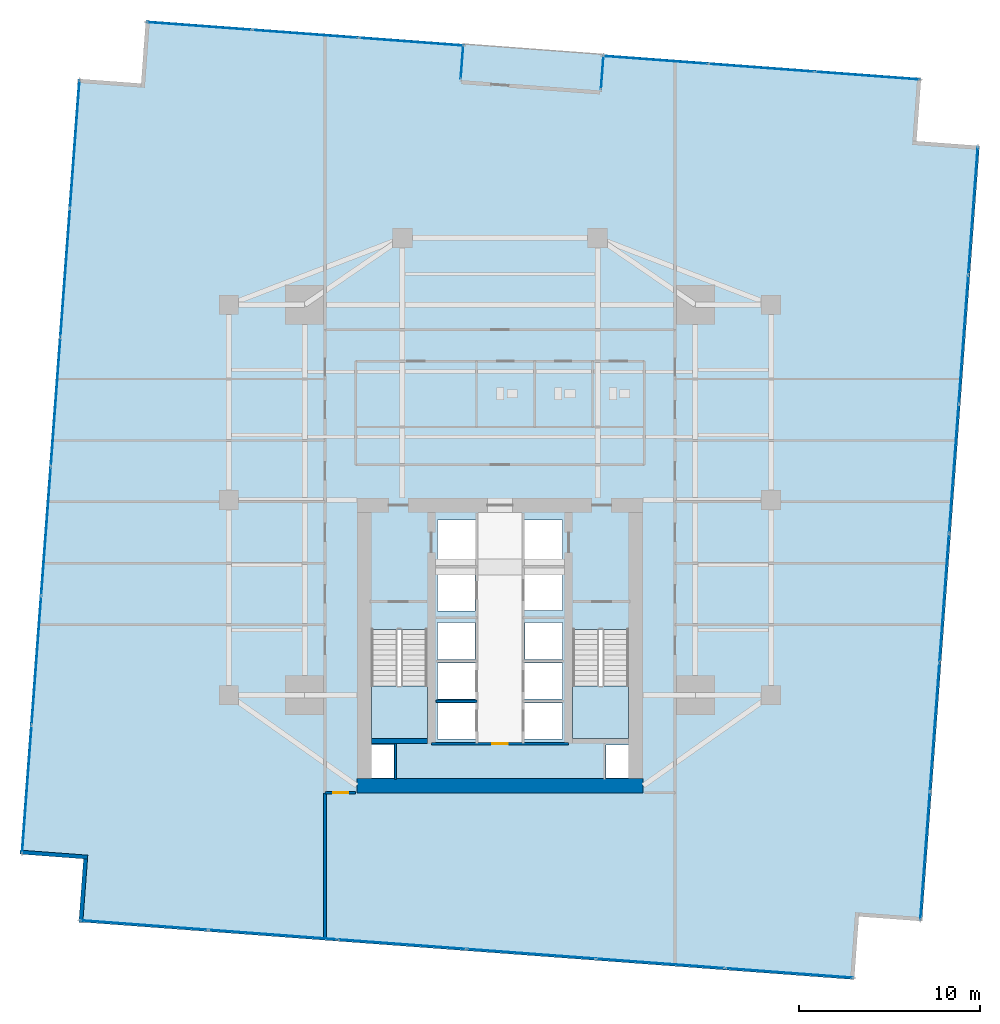
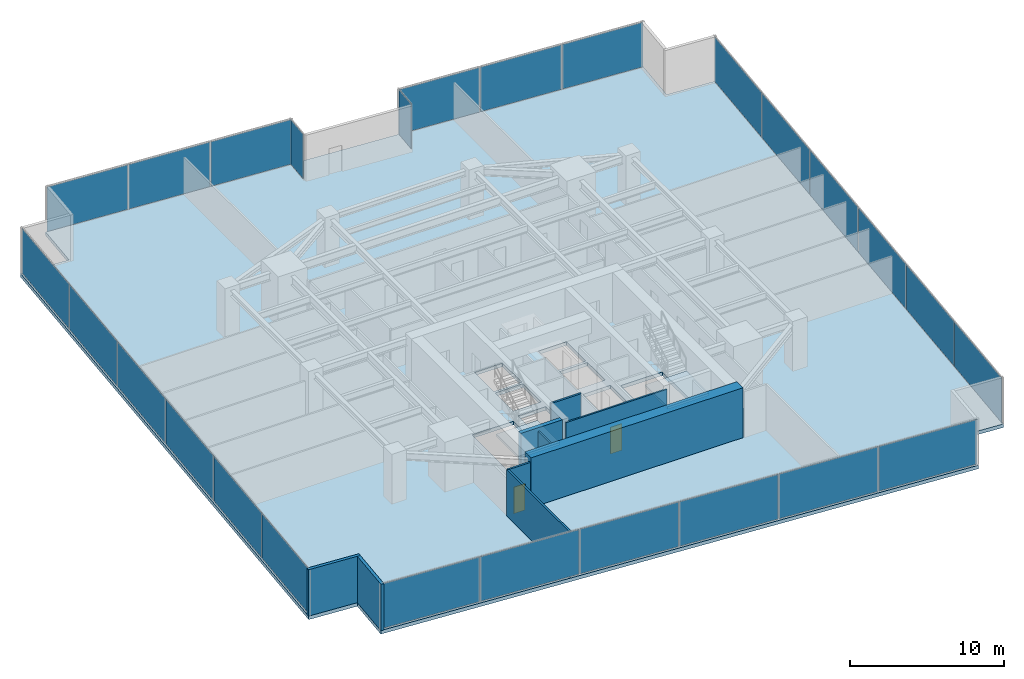
# One storey, part 25 of 30: 26 plates, 9 walls, 3 slabs, 2 doors, 2 openings, 9 elements without a shape of their own.
"""IFC4 building model written with IfcOpenShell, lengths in metres."""

from ifc_helpers import new_model, si_unit, direction, frame, frame_2d, origin, origin_2d, place, context, subcontext, project, spatial, polyline, rectangle, outline, extrude, source, transform, mapped, material, layer, layer_set, type_object, type_shapes, element, fill, aggregate, save


model = new_model("IFC4")

# Units and contexts
model_context = context("Model", 3, precision=1e-05, world=origin(), true_north=direction((0.0, 1.0)))
body_context = subcontext(model_context, "Body", "Model", "MODEL_VIEW")
ifc_project = project(units=[si_unit("LENGTHUNIT", "METRE"), si_unit("AREAUNIT", "SQUARE_METRE"), si_unit("VOLUMEUNIT", "CUBIC_METRE"), si_unit("PLANEANGLEUNIT", "RADIAN"), si_unit("MASSUNIT", "GRAM", prefix="KILO")], contexts=[model_context])

# Site, building, storey
site_placement = place(None, origin())
site = spatial("IfcSite", under=ifc_project, at=site_placement, CompositionType="ELEMENT")
building_placement = place(site_placement, origin())
building = spatial("IfcBuilding", under=site, at=building_placement, Name="Krantzveldt Concourse Tower", CompositionType="ELEMENT")
storey_placement = place(building_placement, frame((0.0, 0.0, 52.64990234375)))
storey = spatial("IfcBuildingStorey", under=building, at=storey_placement, Name="L12", CompositionType="ELEMENT", Elevation=52.64990234375)

# Stair, slab
ifc_material_1 = material(Name="Precast concrete C40/50", Category="concrete")
stair_type = type_object("IfcStairType", Name="STR-CORE-DOGLEG", PredefinedType="HALF_TURN_STAIR", material=ifc_material_1)
stair_1_placement = place(storey_placement, origin())
stair_1 = element("IfcStair", 1, at=stair_1_placement, inside=storey, type_object=stair_type, Name="L12 Protected Escape Stair ST-1", PredefinedType="HALF_TURN_STAIR")
ifc_layer_1 = layer(ifc_material_1, 0.199951171875, Name="Precast concrete C40/50", Category="concrete")
ifc_layer_set_1 = layer_set([ifc_layer_1], Name="Precast concrete C40/50 (SL-LANDING-200)")
slab_type_1 = type_object("IfcSlabType", Name="SL-LANDING-200", PredefinedType="LANDING", material=ifc_layer_set_1)
slab_1_placement = place(storey_placement, frame((0.0, 0.0, 1.775146484375)))
slab_1 = element("IfcSlab", 2, at=slab_1_placement, type_object=slab_type_1, Name="ST-1 landing 1", PredefinedType="LANDING", context=body_context, shape_type="SweptSolid", body=[
    extrude(outline(polyline([(28.8798828125, 16.4150390625), (28.8798828125, 13.52001953125), (31.97998046875, 13.52001953125), (31.97998046875, 16.4150390625), (28.8798828125, 16.4150390625)])), origin(), (0.0, 0.0, 1.0), 0.199951171875),
])
aggregate(stair_1, [slab_1])

stair_2_placement = place(storey_placement, origin())
stair_2 = element("IfcStair", 3, at=stair_2_placement, inside=storey, type_object=stair_type, Name="L12 Protected Escape Stair ST-2", PredefinedType="HALF_TURN_STAIR")
slab_2_placement = place(storey_placement, frame((0.0, 0.0, 1.775146484375)))
slab_2 = element("IfcSlab", 4, at=slab_2_placement, type_object=slab_type_1, Name="ST-2 landing 1", PredefinedType="LANDING", context=body_context, shape_type="SweptSolid", body=[
    extrude(outline(polyline([(40.02001953125, 16.4150390625), (40.02001953125, 13.52001953125), (43.1201171875, 13.52001953125), (43.1201171875, 16.4150390625), (40.02001953125, 16.4150390625)])), origin(), (0.0, 0.0, 1.0), 0.199951171875),
])
aggregate(stair_2, [slab_2])

# Slab
ifc_material_2 = material(Name="Concrete C40/50", Category="concrete")
ifc_layer_2 = layer(ifc_material_2, 0.280029296875, Name="Concrete C40/50", Category="concrete")
ifc_layer_set_2 = layer_set([ifc_layer_2], Name="Concrete C40/50 (SL-SL-TER280)")
slab_type_2 = type_object("IfcSlabType", Name="SL-SL-TER280", PredefinedType="FLOOR", material=ifc_layer_set_2)
slab_3_placement = place(storey_placement, frame((0.0, 0.0, -0.27978515625)))
element("IfcSlab", 5, at=slab_3_placement, inside=storey, type_object=slab_type_2, Name="SL-L12-MAIN", PredefinedType="FLOOR", context=body_context, shape_type="SweptSolid", body=[
    extrude(outline(polyline([(16.15234375, 49.734130859375), (12.662109375, 49.99365234375), (9.475341796875, 7.11181640625), (12.9658203125, 6.8525390625), (12.706298828125, 3.362060546875), (55.588134765625, 0.17529296875), (55.84765625, 3.665771484375), (59.337890625, 3.406494140625), (62.524658203125, 46.2880859375), (59.0341796875, 46.547607421875), (59.293701171875, 50.037841796875), (16.411865234375, 53.224609375), (16.15234375, 49.734130859375)]), holes=[polyline([(28.8798828125, 19.547607421875), (28.8798828125, 13.52001953125), (31.97998046875, 13.52001953125), (31.97998046875, 19.547607421875), (28.8798828125, 19.547607421875)]), polyline([(40.02001953125, 19.547607421875), (40.02001953125, 13.52001953125), (43.1201171875, 13.52001953125), (43.1201171875, 19.547607421875), (40.02001953125, 19.547607421875)]), polyline([(32.550048828125, 23.10009765625), (34.64990234375, 23.10009765625), (34.64990234375, 25.60009765625), (32.550048828125, 25.60009765625), (32.550048828125, 23.10009765625)]), polyline([(37.35009765625, 23.10009765625), (39.449951171875, 23.10009765625), (39.449951171875, 25.60009765625), (37.35009765625, 25.60009765625), (37.35009765625, 23.10009765625)]), polyline([(37.35009765625, 20.60009765625), (39.449951171875, 20.60009765625), (39.449951171875, 22.89990234375), (37.35009765625, 22.89990234375), (37.35009765625, 20.60009765625)]), polyline([(32.550048828125, 13.47998046875), (34.64990234375, 13.47998046875), (34.64990234375, 15.47998046875), (32.550048828125, 15.47998046875), (32.550048828125, 13.47998046875)]), polyline([(32.550048828125, 15.679931640625), (34.64990234375, 15.679931640625), (34.64990234375, 17.679931640625), (32.550048828125, 17.679931640625), (32.550048828125, 15.679931640625)]), polyline([(37.35009765625, 13.47998046875), (39.449951171875, 13.47998046875), (39.449951171875, 15.47998046875), (37.35009765625, 15.47998046875), (37.35009765625, 13.47998046875)]), polyline([(37.35009765625, 15.679931640625), (39.449951171875, 15.679931640625), (39.449951171875, 17.679931640625), (37.35009765625, 17.679931640625), (37.35009765625, 15.679931640625)]), polyline([(32.550048828125, 20.550048828125), (34.6201171875, 20.550048828125), (34.6201171875, 22.89990234375), (32.550048828125, 22.89990234375), (32.550048828125, 20.550048828125)]), polyline([(32.550048828125, 17.8798828125), (34.6201171875, 17.8798828125), (34.6201171875, 19.919921875), (32.550048828125, 19.919921875), (32.550048828125, 17.8798828125)]), polyline([(37.3798828125, 17.8798828125), (39.449951171875, 17.8798828125), (39.449951171875, 19.919921875), (37.3798828125, 19.919921875), (37.3798828125, 17.8798828125)]), polyline([(28.8798828125, 11.320068359375), (30.139892578125, 11.320068359375), (30.139892578125, 13.159912109375), (28.8798828125, 13.159912109375), (28.8798828125, 11.320068359375)]), polyline([(41.860107421875, 11.320068359375), (43.1201171875, 11.320068359375), (43.1201171875, 13.159912109375), (41.860107421875, 13.159912109375), (41.860107421875, 11.320068359375)])]), origin(), (0.0, 0.0, 1.0), 0.27978515625),
])

# Curtain wall, plates
ifc_material_3 = material(Name="Anodised aluminium 6063-T6", Category="aluminium")
curtain_wall_type_1 = type_object("IfcCurtainWallType", Name="CW2", PredefinedType="USERDEFINED", material=ifc_material_3)
curtain_wall_1_placement = place(storey_placement, origin())
curtain_wall_1 = element("IfcCurtainWall", 6, at=curtain_wall_1_placement, inside=storey, type_object=curtain_wall_type_1, Name="CW-L12-F01", ObjectType="UNITISED CURTAIN WALL", PredefinedType="USERDEFINED")
ifc_material_4 = material(Name="Bronze-tinted laminated low-E IGU glass", Category="glass")
ifc_layer_3 = layer(ifc_material_4, 0.031982421875, Name="Bronze-tinted laminated low-E IGU glass", Category="glass")
ifc_layer_set_3 = layer_set([ifc_layer_3], Name="Bronze-tinted laminated low-E IGU glass (CW-GLZ-32)")
plate_type = type_object("IfcPlateType", Name="CW-GLZ-32", PredefinedType="CURTAIN_PANEL", material=ifc_layer_set_3)
shared_shape_1 = source(origin(), body_context, "Body", "SweptSolid", [
    extrude(rectangle(XDim=7.061767578125, YDim=0.031982421875, at=origin_2d()), origin(), (0.0, 0.0, 1.0), 3.530029296875),
])
plate_1_placement = place(storey_placement, frame((12.48486328125, 46.39599609375, 0.0703125), z_axis=(0.0, 0.0, 1.0), x_axis=(-0.07410860051, -0.997250176902, 0.0)))
plate_1 = element("IfcPlate", 7, at=plate_1_placement, type_object=plate_type, Name="CW-Z12 panel 1.1", PredefinedType="CURTAIN_PANEL", context=body_context, shape_type="MappedRepresentation", body=[
    mapped(shared_shape_1, transform((0.0, 0.0, 0.0), x_axis=(1.0, 0.0, 0.0), y_axis=(0.0, 1.0, 0.0), z_axis=(0.0, 0.0, 1.0), scale=1.0)),
])
plate_2_placement = place(storey_placement, frame((9.83203125, 10.696044921875, 0.0703125), z_axis=(0.0, 0.0, 1.0), x_axis=(-0.07410860051, -0.997250176902, 0.0)))
plate_2 = element("IfcPlate", 8, at=plate_2_placement, type_object=plate_type, Name="CW-Z12 panel 6.1", PredefinedType="CURTAIN_PANEL", context=body_context, shape_type="MappedRepresentation", body=[
    mapped(shared_shape_1, transform((0.0, 0.0, 0.0), x_axis=(1.0, 0.0, 0.0), y_axis=(0.0, 1.0, 0.0), z_axis=(0.0, 0.0, 1.0), scale=1.0)),
])

curtain_wall_2_placement = place(storey_placement, origin())
curtain_wall_2 = element("IfcCurtainWall", 9, at=curtain_wall_2_placement, inside=storey, type_object=curtain_wall_type_1, Name="CW-L12-F04", ObjectType="UNITISED CURTAIN WALL", PredefinedType="USERDEFINED")
plate_3_placement = place(storey_placement, frame((16.303955078125, 3.18505859375, 0.0703125), z_axis=(0.0, 0.0, 1.0), x_axis=(0.997250176902, -0.07410860051, 0.0)))
plate_3 = element("IfcPlate", 10, at=plate_3_placement, type_object=plate_type, Name="CW-Z12 panel 1.1", PredefinedType="CURTAIN_PANEL", context=body_context, shape_type="MappedRepresentation", body=[
    mapped(shared_shape_1, transform((0.0, 0.0, 0.0), x_axis=(1.0, 0.0, 0.0), y_axis=(0.0, 1.0, 0.0), z_axis=(0.0, 0.0, 1.0), scale=1.0)),
])
plate_4_placement = place(storey_placement, frame((52.00390625, 0.531982421875, 0.0703125), z_axis=(0.0, 0.0, 1.0), x_axis=(0.997250176902, -0.07410860051, 0.0)))
plate_4 = element("IfcPlate", 11, at=plate_4_placement, type_object=plate_type, Name="CW-Z12 panel 6.1", PredefinedType="CURTAIN_PANEL", context=body_context, shape_type="MappedRepresentation", body=[
    mapped(shared_shape_1, transform((0.0, 0.0, 0.0), x_axis=(1.0, 0.0, 0.0), y_axis=(0.0, 1.0, 0.0), z_axis=(0.0, 0.0, 1.0), scale=1.0)),
])

curtain_wall_3_placement = place(storey_placement, origin())
curtain_wall_3 = element("IfcCurtainWall", 12, at=curtain_wall_3_placement, inside=storey, type_object=curtain_wall_type_1, Name="CW-L12-F07", ObjectType="UNITISED CURTAIN WALL", PredefinedType="USERDEFINED")
plate_5_placement = place(storey_placement, frame((59.51513671875, 7.00390625, 0.0703125), z_axis=(0.0, 0.0, 1.0), x_axis=(0.07410860051, 0.997250176902, 0.0)))
plate_5 = element("IfcPlate", 13, at=plate_5_placement, type_object=plate_type, Name="CW-Z12 panel 1.1", PredefinedType="CURTAIN_PANEL", context=body_context, shape_type="MappedRepresentation", body=[
    mapped(shared_shape_1, transform((0.0, 0.0, 0.0), x_axis=(1.0, 0.0, 0.0), y_axis=(0.0, 1.0, 0.0), z_axis=(0.0, 0.0, 1.0), scale=1.0)),
])
plate_6_placement = place(storey_placement, frame((62.16796875, 42.703857421875, 0.0703125), z_axis=(0.0, 0.0, 1.0), x_axis=(0.07410860051, 0.997250176902, 0.0)))
plate_6 = element("IfcPlate", 14, at=plate_6_placement, type_object=plate_type, Name="CW-Z12 panel 6.1", PredefinedType="CURTAIN_PANEL", context=body_context, shape_type="MappedRepresentation", body=[
    mapped(shared_shape_1, transform((0.0, 0.0, 0.0), x_axis=(1.0, 0.0, 0.0), y_axis=(0.0, 1.0, 0.0), z_axis=(0.0, 0.0, 1.0), scale=1.0)),
])

# Plate
shared_shape_2 = source(origin(), body_context, "Body", "SweptSolid", [
    extrude(rectangle(XDim=7.0966796875, YDim=0.031982421875, at=origin_2d()), origin(), (0.0, 0.0, 1.0), 3.530029296875),
])
plate_7_placement = place(storey_placement, frame((11.955078125, 39.2666015625, 0.0703125), z_axis=(0.0, 0.0, 1.0), x_axis=(-0.07410860051, -0.997250176902, 0.0)))
plate_7 = element("IfcPlate", 15, at=plate_7_placement, type_object=plate_type, Name="CW-Z12 panel 2.1", PredefinedType="CURTAIN_PANEL", context=body_context, shape_type="MappedRepresentation", body=[
    mapped(shared_shape_2, transform((0.0, 0.0, 0.0), x_axis=(1.0, 0.0, 0.0), y_axis=(0.0, 1.0, 0.0), z_axis=(0.0, 0.0, 1.0), scale=1.0)),
])

plate_8_placement = place(storey_placement, frame((11.424072265625, 32.11962890625, 0.0703125), z_axis=(0.0, 0.0, 1.0), x_axis=(-0.07410860051, -0.997250176902, 0.0)))
plate_8 = element("IfcPlate", 16, at=plate_8_placement, type_object=plate_type, Name="CW-Z12 panel 3.1", PredefinedType="CURTAIN_PANEL", context=body_context, shape_type="MappedRepresentation", body=[
    mapped(shared_shape_2, transform((0.0, 0.0, 0.0), x_axis=(1.0, 0.0, 0.0), y_axis=(0.0, 1.0, 0.0), z_axis=(0.0, 0.0, 1.0), scale=1.0)),
])

plate_9_placement = place(storey_placement, frame((10.892822265625, 24.97265625, 0.0703125), z_axis=(0.0, 0.0, 1.0), x_axis=(-0.07410860051, -0.997250176902, 0.0)))
plate_9 = element("IfcPlate", 17, at=plate_9_placement, type_object=plate_type, Name="CW-Z12 panel 4.1", PredefinedType="CURTAIN_PANEL", context=body_context, shape_type="MappedRepresentation", body=[
    mapped(shared_shape_2, transform((0.0, 0.0, 0.0), x_axis=(1.0, 0.0, 0.0), y_axis=(0.0, 1.0, 0.0), z_axis=(0.0, 0.0, 1.0), scale=1.0)),
])

plate_10_placement = place(storey_placement, frame((10.36181640625, 17.82568359375, 0.0703125), z_axis=(0.0, 0.0, 1.0), x_axis=(-0.07410860051, -0.997250176902, 0.0)))
plate_10 = element("IfcPlate", 18, at=plate_10_placement, type_object=plate_type, Name="CW-Z12 panel 5.1", PredefinedType="CURTAIN_PANEL", context=body_context, shape_type="MappedRepresentation", body=[
    mapped(shared_shape_2, transform((0.0, 0.0, 0.0), x_axis=(1.0, 0.0, 0.0), y_axis=(0.0, 1.0, 0.0), z_axis=(0.0, 0.0, 1.0), scale=1.0)),
])

aggregate(curtain_wall_1, [plate_1, plate_7, plate_8, plate_9, plate_10, plate_2])

plate_11_placement = place(storey_placement, frame((23.43359375, 2.6552734375, 0.0703125), z_axis=(0.0, 0.0, 1.0), x_axis=(0.997250176902, -0.07410860051, 0.0)))
plate_11 = element("IfcPlate", 19, at=plate_11_placement, type_object=plate_type, Name="CW-Z12 panel 2.1", PredefinedType="CURTAIN_PANEL", context=body_context, shape_type="MappedRepresentation", body=[
    mapped(shared_shape_2, transform((0.0, 0.0, 0.0), x_axis=(1.0, 0.0, 0.0), y_axis=(0.0, 1.0, 0.0), z_axis=(0.0, 0.0, 1.0), scale=1.0)),
])

plate_12_placement = place(storey_placement, frame((30.58056640625, 2.1240234375, 0.0703125), z_axis=(0.0, 0.0, 1.0), x_axis=(0.997250176902, -0.07410860051, 0.0)))
plate_12 = element("IfcPlate", 20, at=plate_12_placement, type_object=plate_type, Name="CW-Z12 panel 3.1", PredefinedType="CURTAIN_PANEL", context=body_context, shape_type="MappedRepresentation", body=[
    mapped(shared_shape_2, transform((0.0, 0.0, 0.0), x_axis=(1.0, 0.0, 0.0), y_axis=(0.0, 1.0, 0.0), z_axis=(0.0, 0.0, 1.0), scale=1.0)),
])

plate_13_placement = place(storey_placement, frame((37.7275390625, 1.593017578125, 0.0703125), z_axis=(0.0, 0.0, 1.0), x_axis=(0.997250176902, -0.07410860051, 0.0)))
plate_13 = element("IfcPlate", 21, at=plate_13_placement, type_object=plate_type, Name="CW-Z12 panel 4.1", PredefinedType="CURTAIN_PANEL", context=body_context, shape_type="MappedRepresentation", body=[
    mapped(shared_shape_2, transform((0.0, 0.0, 0.0), x_axis=(1.0, 0.0, 0.0), y_axis=(0.0, 1.0, 0.0), z_axis=(0.0, 0.0, 1.0), scale=1.0)),
])

plate_14_placement = place(storey_placement, frame((44.87451171875, 1.061767578125, 0.0703125), z_axis=(0.0, 0.0, 1.0), x_axis=(0.997250176902, -0.07410860051, 0.0)))
plate_14 = element("IfcPlate", 22, at=plate_14_placement, type_object=plate_type, Name="CW-Z12 panel 5.1", PredefinedType="CURTAIN_PANEL", context=body_context, shape_type="MappedRepresentation", body=[
    mapped(shared_shape_2, transform((0.0, 0.0, 0.0), x_axis=(1.0, 0.0, 0.0), y_axis=(0.0, 1.0, 0.0), z_axis=(0.0, 0.0, 1.0), scale=1.0)),
])

aggregate(curtain_wall_2, [plate_3, plate_11, plate_12, plate_13, plate_14, plate_4])

plate_15_placement = place(storey_placement, frame((60.044921875, 14.133544921875, 0.0703125), z_axis=(0.0, 0.0, 1.0), x_axis=(0.07410860051, 0.997250176902, 0.0)))
plate_15 = element("IfcPlate", 23, at=plate_15_placement, type_object=plate_type, Name="CW-Z12 panel 2.1", PredefinedType="CURTAIN_PANEL", context=body_context, shape_type="MappedRepresentation", body=[
    mapped(shared_shape_2, transform((0.0, 0.0, 0.0), x_axis=(1.0, 0.0, 0.0), y_axis=(0.0, 1.0, 0.0), z_axis=(0.0, 0.0, 1.0), scale=1.0)),
])

plate_16_placement = place(storey_placement, frame((60.575927734375, 21.280517578125, 0.0703125), z_axis=(0.0, 0.0, 1.0), x_axis=(0.07410860051, 0.997250176902, 0.0)))
plate_16 = element("IfcPlate", 24, at=plate_16_placement, type_object=plate_type, Name="CW-Z12 panel 3.1", PredefinedType="CURTAIN_PANEL", context=body_context, shape_type="MappedRepresentation", body=[
    mapped(shared_shape_2, transform((0.0, 0.0, 0.0), x_axis=(1.0, 0.0, 0.0), y_axis=(0.0, 1.0, 0.0), z_axis=(0.0, 0.0, 1.0), scale=1.0)),
])

plate_17_placement = place(storey_placement, frame((61.107177734375, 28.427490234375, 0.0703125), z_axis=(0.0, 0.0, 1.0), x_axis=(0.07410860051, 0.997250176902, 0.0)))
plate_17 = element("IfcPlate", 25, at=plate_17_placement, type_object=plate_type, Name="CW-Z12 panel 4.1", PredefinedType="CURTAIN_PANEL", context=body_context, shape_type="MappedRepresentation", body=[
    mapped(shared_shape_2, transform((0.0, 0.0, 0.0), x_axis=(1.0, 0.0, 0.0), y_axis=(0.0, 1.0, 0.0), z_axis=(0.0, 0.0, 1.0), scale=1.0)),
])

plate_18_placement = place(storey_placement, frame((61.63818359375, 35.574462890625, 0.0703125), z_axis=(0.0, 0.0, 1.0), x_axis=(0.07410860051, 0.997250176902, 0.0)))
plate_18 = element("IfcPlate", 26, at=plate_18_placement, type_object=plate_type, Name="CW-Z12 panel 5.1", PredefinedType="CURTAIN_PANEL", context=body_context, shape_type="MappedRepresentation", body=[
    mapped(shared_shape_2, transform((0.0, 0.0, 0.0), x_axis=(1.0, 0.0, 0.0), y_axis=(0.0, 1.0, 0.0), z_axis=(0.0, 0.0, 1.0), scale=1.0)),
])

aggregate(curtain_wall_3, [plate_5, plate_15, plate_16, plate_17, plate_18, plate_6])

# Curtain wall, plates
curtain_wall_4_placement = place(storey_placement, origin())
curtain_wall_4 = element("IfcCurtainWall", 27, at=curtain_wall_4_placement, inside=storey, type_object=curtain_wall_type_1, Name="CW-L12-F10", ObjectType="UNITISED CURTAIN WALL", PredefinedType="USERDEFINED")
shared_shape_3 = source(origin(), body_context, "Body", "SweptSolid", [
    extrude(rectangle(XDim=5.794921875, YDim=0.031982421875, at=origin_2d()), origin(), (0.0, 0.0, 1.0), 3.530029296875),
])
plate_19_placement = place(storey_placement, frame((56.32763671875, 50.16796875, 0.0703125), z_axis=(0.0, 0.0, 1.0), x_axis=(-0.997250186789, 0.074108467464, 0.0)))
plate_19 = element("IfcPlate", 28, at=plate_19_placement, type_object=plate_type, Name="CW-Z12 panel 1.1", PredefinedType="CURTAIN_PANEL", context=body_context, shape_type="MappedRepresentation", body=[
    mapped(shared_shape_3, transform((0.0, 0.0, 0.0), x_axis=(1.0, 0.0, 0.0), y_axis=(0.0, 1.0, 0.0), z_axis=(0.0, 0.0, 1.0), scale=1.0)),
])
plate_20_placement = place(storey_placement, frame((44.594970703125, 51.0400390625, 0.0703125), z_axis=(0.0, 0.0, 1.0), x_axis=(-0.997250186789, 0.074108467464, 0.0)))
plate_20 = element("IfcPlate", 29, at=plate_20_placement, type_object=plate_type, Name="CW-Z12 panel 3.1", PredefinedType="CURTAIN_PANEL", context=body_context, shape_type="MappedRepresentation", body=[
    mapped(shared_shape_3, transform((0.0, 0.0, 0.0), x_axis=(1.0, 0.0, 0.0), y_axis=(0.0, 1.0, 0.0), z_axis=(0.0, 0.0, 1.0), scale=1.0)),
])

curtain_wall_5_placement = place(storey_placement, origin())
curtain_wall_5 = element("IfcCurtainWall", 30, at=curtain_wall_5_placement, inside=storey, type_object=curtain_wall_type_1, Name="CW-L12-F14", ObjectType="UNITISED CURTAIN WALL", PredefinedType="USERDEFINED")
plate_21_placement = place(storey_placement, frame((31.09716796875, 52.04296875, 0.0703125), z_axis=(0.0, 0.0, 1.0), x_axis=(-0.997250186789, 0.074108467464, 0.0)))
plate_21 = element("IfcPlate", 31, at=plate_21_placement, type_object=plate_type, Name="CW-Z12 panel 1.1", PredefinedType="CURTAIN_PANEL", context=body_context, shape_type="MappedRepresentation", body=[
    mapped(shared_shape_3, transform((0.0, 0.0, 0.0), x_axis=(1.0, 0.0, 0.0), y_axis=(0.0, 1.0, 0.0), z_axis=(0.0, 0.0, 1.0), scale=1.0)),
])
plate_22_placement = place(storey_placement, frame((19.364501953125, 52.9150390625, 0.0703125), z_axis=(0.0, 0.0, 1.0), x_axis=(-0.997250186789, 0.074108467464, 0.0)))
plate_22 = element("IfcPlate", 32, at=plate_22_placement, type_object=plate_type, Name="CW-Z12 panel 3.1", PredefinedType="CURTAIN_PANEL", context=body_context, shape_type="MappedRepresentation", body=[
    mapped(shared_shape_3, transform((0.0, 0.0, 0.0), x_axis=(1.0, 0.0, 0.0), y_axis=(0.0, 1.0, 0.0), z_axis=(0.0, 0.0, 1.0), scale=1.0)),
])

# Plate
shared_shape_4 = source(origin(), body_context, "Body", "SweptSolid", [
    extrude(rectangle(XDim=5.830078125, YDim=0.031982421875, at=origin_2d()), origin(), (0.0, 0.0, 1.0), 3.530029296875),
])
plate_23_placement = place(storey_placement, frame((50.461181640625, 50.60400390625, 0.0703125), z_axis=(0.0, 0.0, 1.0), x_axis=(-0.997250186789, 0.074108467464, 0.0)))
plate_23 = element("IfcPlate", 33, at=plate_23_placement, type_object=plate_type, Name="CW-Z12 panel 2.1", PredefinedType="CURTAIN_PANEL", context=body_context, shape_type="MappedRepresentation", body=[
    mapped(shared_shape_4, transform((0.0, 0.0, 0.0), x_axis=(1.0, 0.0, 0.0), y_axis=(0.0, 1.0, 0.0), z_axis=(0.0, 0.0, 1.0), scale=1.0)),
])

aggregate(curtain_wall_4, [plate_19, plate_23, plate_20])

plate_24_placement = place(storey_placement, frame((25.230712890625, 52.47900390625, 0.0703125), z_axis=(0.0, 0.0, 1.0), x_axis=(-0.997250186789, 0.074108467464, 0.0)))
plate_24 = element("IfcPlate", 34, at=plate_24_placement, type_object=plate_type, Name="CW-Z12 panel 2.1", PredefinedType="CURTAIN_PANEL", context=body_context, shape_type="MappedRepresentation", body=[
    mapped(shared_shape_4, transform((0.0, 0.0, 0.0), x_axis=(1.0, 0.0, 0.0), y_axis=(0.0, 1.0, 0.0), z_axis=(0.0, 0.0, 1.0), scale=1.0)),
])

aggregate(curtain_wall_5, [plate_21, plate_24, plate_22])

# Curtain wall, plate
curtain_wall_type_2 = type_object("IfcCurtainWallType", Name="CW6", PredefinedType="USERDEFINED", material=ifc_material_3)
curtain_wall_6_placement = place(storey_placement, origin())
curtain_wall_6 = element("IfcCurtainWall", 35, at=curtain_wall_6_placement, inside=storey, type_object=curtain_wall_type_2, Name="CW-L12-TR11", ObjectType="UNITISED CURTAIN WALL", PredefinedType="USERDEFINED")
shared_shape_5 = source(origin(), body_context, "Body", "SweptSolid", [
    extrude(rectangle(XDim=1.860107421875, YDim=0.031982421875, at=origin_2d()), origin(), (0.0, 0.0, 1.0), 3.530029296875),
])
type_shapes(plate_type, [shared_shape_1, shared_shape_2, shared_shape_3, shared_shape_4, shared_shape_5])
plate_25_placement = place(storey_placement, frame((41.657958984375, 50.345703125, 0.0703125), z_axis=(0.0, 0.0, 1.0), x_axis=(-0.074105032841, -0.997250442019, 0.0)))
plate_25 = element("IfcPlate", 36, at=plate_25_placement, type_object=plate_type, Name="CW-TERR panel 1.1", PredefinedType="CURTAIN_PANEL", context=body_context, shape_type="MappedRepresentation", body=[
    mapped(shared_shape_5, transform((0.0, 0.0, 0.0), x_axis=(1.0, 0.0, 0.0), y_axis=(0.0, 1.0, 0.0), z_axis=(0.0, 0.0, 1.0), scale=1.0)),
])
aggregate(curtain_wall_6, [plate_25])

curtain_wall_7_placement = place(storey_placement, origin())
curtain_wall_7 = element("IfcCurtainWall", 37, at=curtain_wall_7_placement, inside=storey, type_object=curtain_wall_type_2, Name="CW-L12-TR13", ObjectType="UNITISED CURTAIN WALL", PredefinedType="USERDEFINED")
plate_26_placement = place(storey_placement, frame((33.8994140625, 50.92236328125, 0.0703125), z_axis=(0.0, 0.0, 1.0), x_axis=(0.074110005396, 0.997250072499, 0.0)))
plate_26 = element("IfcPlate", 38, at=plate_26_placement, type_object=plate_type, Name="CW-TERR panel 1.1", PredefinedType="CURTAIN_PANEL", context=body_context, shape_type="MappedRepresentation", body=[
    mapped(shared_shape_5, transform((0.0, 0.0, 0.0), x_axis=(1.0, 0.0, 0.0), y_axis=(0.0, 1.0, 0.0), z_axis=(0.0, 0.0, 1.0), scale=1.0)),
])
aggregate(curtain_wall_7, [plate_26])

# Walls
ifc_layer_4 = layer(ifc_material_3, 0.219970703125, Name="Anodised aluminium 6063-T6", Category="aluminium")
ifc_layer_set_4 = layer_set([ifc_layer_4], Name="Anodised aluminium 6063-T6 (WL-EXT-NOTCH220)")
wall_type_1 = type_object("IfcWallType", Name="WL-EXT-NOTCH220", PredefinedType="ELEMENTEDWALL", material=ifc_layer_set_4)
wall_1_placement = place(storey_placement, frame((9.458740234375, 7.223388671875, 0.0), z_axis=(0.0, 0.0, 1.0), x_axis=(0.997249045342, -0.074123825884, 0.0)))
element("IfcWall", 39, at=wall_1_placement, inside=storey, type_object=wall_type_1, Name="EW-L12-NCH02", PredefinedType="ELEMENTEDWALL", context=body_context, shape_type="SweptSolid", body=[
    extrude(rectangle(XDim=3.744873046875, YDim=0.219970703125, at=frame_2d((1.87255859375, 0.0))), origin(), (0.0, 0.0, 1.0), 3.670166015625),
])
wall_2_placement = place(storey_placement, frame((13.075439453125, 6.84423828125, 0.0), z_axis=(0.0, 0.0, 1.0), x_axis=(-0.074111505645, -0.997249961008, 0.0)))
element("IfcWall", 40, at=wall_2_placement, inside=storey, type_object=wall_type_1, Name="EW-L12-NCH03", PredefinedType="ELEMENTEDWALL", context=body_context, shape_type="SweptSolid", body=[
    extrude(rectangle(XDim=3.52490234375, YDim=0.219970703125, at=frame_2d((1.762451171875, 0.0))), origin(), (0.0, 0.0, 1.0), 3.670166015625),
])

# Wall, opening, door
ifc_material_5 = material(Name="Fire-rated gypsum plasterboard on steel stud", Category="steel")
ifc_layer_5 = layer(ifc_material_5, 0.1201171875, Name="Fire-rated gypsum plasterboard on steel stud", Category="steel")
ifc_layer_set_5 = layer_set([ifc_layer_5], Name="Fire-rated gypsum plasterboard on steel stud (WL-PART-120)")
wall_type_2 = type_object("IfcWallType", Name="WL-PART-120", PredefinedType="PARTITIONING", material=ifc_layer_set_5)
wall_3_placement = place(storey_placement, frame((32.2099609375, 13.219970703125, 0.0), z_axis=(0.0, 0.0, 1.0), x_axis=(1.0, 0.0, 0.0)))
wall_3 = element("IfcWall", 41, at=wall_3_placement, inside=storey, type_object=wall_type_2, Name="WP-L12-CS2H", PredefinedType="PARTITIONING", context=body_context, shape_type="SweptSolid", body=[
    extrude(rectangle(XDim=7.580078125, YDim=0.1201171875, at=frame_2d((3.7900390625, 0.0))), origin(), (0.0, 0.0, 1.0), 3.670166015625),
])
opening_1_placement = place(wall_3_placement, frame((3.364990234375, 0.0, 0.0)))
opening_1 = element("IfcOpeningElement", 42, at=opening_1_placement, cuts=wall_3, Name="Opening D-IN085", PredefinedType="OPENING", context=body_context, shape_type="SweptSolid", body=[
    extrude(rectangle(XDim=0.85009765625, YDim=2.10009765625, at=frame_2d((0.425048828125, 1.050048828125))), frame((0.0, 0.070068359375, 0.0), z_axis=(0.0, -1.0, 0.0), x_axis=(1.0, 0.0, 0.0)), (0.0, 0.0, 1.0), 0.14013671875),
])
ifc_material_6 = material(Name="Hardwood timber", Category="wood")
door_type = type_object("IfcDoorType", Name="DR-INT-850", OperationType="SINGLE_SWING_LEFT", PredefinedType="DOOR", material=ifc_material_6)
door_1_placement = place(opening_1_placement, origin())
door_1 = element("IfcDoor", 43, at=door_1_placement, inside=storey, type_object=door_type, Name="DR-L12-CSC1", OperationType="SINGLE_SWING_RIGHT", OverallHeight=2.10009765625, OverallWidth=0.85009765625, PredefinedType="DOOR", context=body_context, shape_type="SweptSolid", body=[
    extrude(rectangle(XDim=0.85009765625, YDim=2.10009765625, at=frame_2d((0.425048828125, 1.050048828125))), frame((0.0, 0.02490234375, 0.0), z_axis=(0.0, -1.0, 0.0), x_axis=(1.0, 0.0, 0.0)), (0.0, 0.0, 1.0), 0.050048828125),
])
fill(opening_1, door_1)

ifc_layer_6 = layer(ifc_material_5, 0.139892578125, Name="Fire-rated gypsum plasterboard on steel stud", Category="steel")
ifc_layer_set_6 = layer_set([ifc_layer_6], Name="Fire-rated gypsum plasterboard on steel stud (WL-PART-140)")
wall_type_3 = type_object("IfcWallType", Name="WL-PART-140", PredefinedType="PARTITIONING", material=ifc_layer_set_6)
wall_4_placement = place(storey_placement, frame((26.320068359375, 10.5, 0.0), z_axis=(0.0, 0.0, 1.0), x_axis=(1.0, 0.0, 0.0)))
wall_4 = element("IfcWall", 44, at=wall_4_placement, inside=storey, type_object=wall_type_3, Name="WP-L12-CWBOT", PredefinedType="PARTITIONING", context=body_context, shape_type="SweptSolid", body=[
    extrude(rectangle(XDim=1.679931640625, YDim=0.139892578125, at=frame_2d((0.83984375, 0.0))), origin(), (0.0, 0.0, 1.0), 3.670166015625),
])
opening_2_placement = place(wall_4_placement, frame((0.445068359375, 0.0, 0.0)))
opening_2 = element("IfcOpeningElement", 45, at=opening_2_placement, cuts=wall_4, Name="Opening D-IN085", PredefinedType="OPENING", context=body_context, shape_type="SweptSolid", body=[
    extrude(rectangle(XDim=0.85009765625, YDim=2.10009765625, at=frame_2d((0.425048828125, 1.050048828125))), frame((0.0, 0.080078125, 0.0), z_axis=(0.0, -1.0, 0.0), x_axis=(1.0, 0.0, 0.0)), (0.0, 0.0, 1.0), 0.159912109375),
])
door_2_placement = place(opening_2_placement, origin())
door_2 = element("IfcDoor", 46, at=door_2_placement, inside=storey, type_object=door_type, Name="DR-L12-SR1", OperationType="SINGLE_SWING_LEFT", OverallHeight=2.10009765625, OverallWidth=0.85009765625, PredefinedType="DOOR", context=body_context, shape_type="SweptSolid", body=[
    extrude(rectangle(XDim=0.85009765625, YDim=2.10009765625, at=frame_2d((0.425048828125, 1.050048828125))), frame((0.0, 0.02490234375, 0.0), z_axis=(0.0, -1.0, 0.0), x_axis=(1.0, 0.0, 0.0)), (0.0, 0.0, 1.0), 0.050048828125),
])
fill(opening_2, door_2)

# Walls
wall_5_placement = place(storey_placement, frame((26.320068359375, 2.440673828125, 0.0), z_axis=(0.0, 0.0, 1.0), x_axis=(0.0, 1.0, 0.0)))
element("IfcWall", 47, at=wall_5_placement, inside=storey, type_object=wall_type_3, Name="WP-L12-SWL", PredefinedType="PARTITIONING", context=body_context, shape_type="SweptSolid", body=[
    extrude(rectangle(XDim=8.059326171875, YDim=0.139892578125, at=frame_2d((4.02978515625, 0.0))), origin(), (0.0, 0.0, 1.0), 3.670166015625),
])
ifc_layer_7 = layer(ifc_material_5, 0.139892578125, Name="Fire-rated gypsum plasterboard on steel stud", Category="steel")
ifc_layer_set_7 = layer_set([ifc_layer_7], Name="Fire-rated gypsum plasterboard on steel stud (WL-PART-FR140)")
wall_type_4 = type_object("IfcWallType", Name="WL-PART-FR140", PredefinedType="PARTITIONING", material=ifc_layer_set_7)
wall_6_placement = place(storey_placement, frame((32.449951171875, 15.580078125, 0.0), z_axis=(0.0, 0.0, 1.0), x_axis=(1.0, 0.0, 0.0)))
element("IfcWall", 48, at=wall_6_placement, inside=storey, type_object=wall_type_4, Name="WP-L12-DIVW1", PredefinedType="PARTITIONING", context=body_context, shape_type="SweptSolid", body=[
    extrude(rectangle(XDim=2.27001953125, YDim=0.139892578125, at=frame_2d((1.135009765625, 0.0))), origin(), (0.0, 0.0, 1.0), 3.670166015625),
])
wall_7_placement = place(storey_placement, frame((30.219970703125, 11.25, 0.0), z_axis=(0.0, 0.0, 1.0), x_axis=(0.0, 1.0, 0.0)))
element("IfcWall", 49, at=wall_7_placement, inside=storey, type_object=wall_type_4, Name="WP-L12-RSW", PredefinedType="PARTITIONING", context=body_context, shape_type="SweptSolid", body=[
    extrude(rectangle(XDim=1.969970703125, YDim=0.1201171875, at=frame_2d((0.98486328125, 0.0))), origin(), (0.0, 0.0, 1.0), 3.670166015625),
])
ifc_material_7 = material(Name="Concrete C50/60", Category="concrete")
ifc_layer_8 = layer(ifc_material_7, 0.300048828125, Name="Concrete C50/60", Category="concrete")
ifc_layer_set_8 = layer_set([ifc_layer_8], Name="Concrete C50/60 (WL-SHEAR-300)")
wall_type_5 = type_object("IfcWallType", Name="WL-SHEAR-300", PredefinedType="SHEAR", material=ifc_layer_set_8)
wall_8_placement = place(storey_placement, frame((28.8798828125, 13.3701171875, 0.0), z_axis=(0.0, 0.0, 1.0), x_axis=(1.0, 0.0, 0.0)))
element("IfcWall", 50, at=wall_8_placement, inside=storey, type_object=wall_type_5, Name="CW-L12-ST1S", PredefinedType="SHEAR", context=body_context, shape_type="SweptSolid", body=[
    extrude(rectangle(XDim=3.10009765625, YDim=0.300048828125, at=frame_2d((1.550048828125, 0.0))), origin(), (0.0, 0.0, 1.0), 3.9501953125),
])
ifc_material_8 = material(Name="Concrete C60/75", Category="concrete")
ifc_layer_9 = layer(ifc_material_8, 0.800048828125, Name="Concrete C60/75", Category="concrete")
ifc_layer_set_9 = layer_set([ifc_layer_9], Name="Concrete C60/75 (WL-SHEAR-800)")
wall_type_6 = type_object("IfcWallType", Name="WL-SHEAR-800", PredefinedType="SHEAR", material=ifc_layer_set_9)
wall_9_placement = place(storey_placement, frame((28.080078125, 10.89990234375, 0.0), z_axis=(0.0, 0.0, 1.0), x_axis=(1.0, 0.0, 0.0)))
element("IfcWall", 51, at=wall_9_placement, inside=storey, type_object=wall_type_6, Name="CW-L12-S", PredefinedType="SHEAR", context=body_context, shape_type="SweptSolid", body=[
    extrude(rectangle(XDim=15.83984375, YDim=0.800048828125, at=frame_2d((7.919921875, 0.0))), origin(), (0.0, 0.0, 1.0), 3.9501953125),
])

save(model, "model.ifc")
